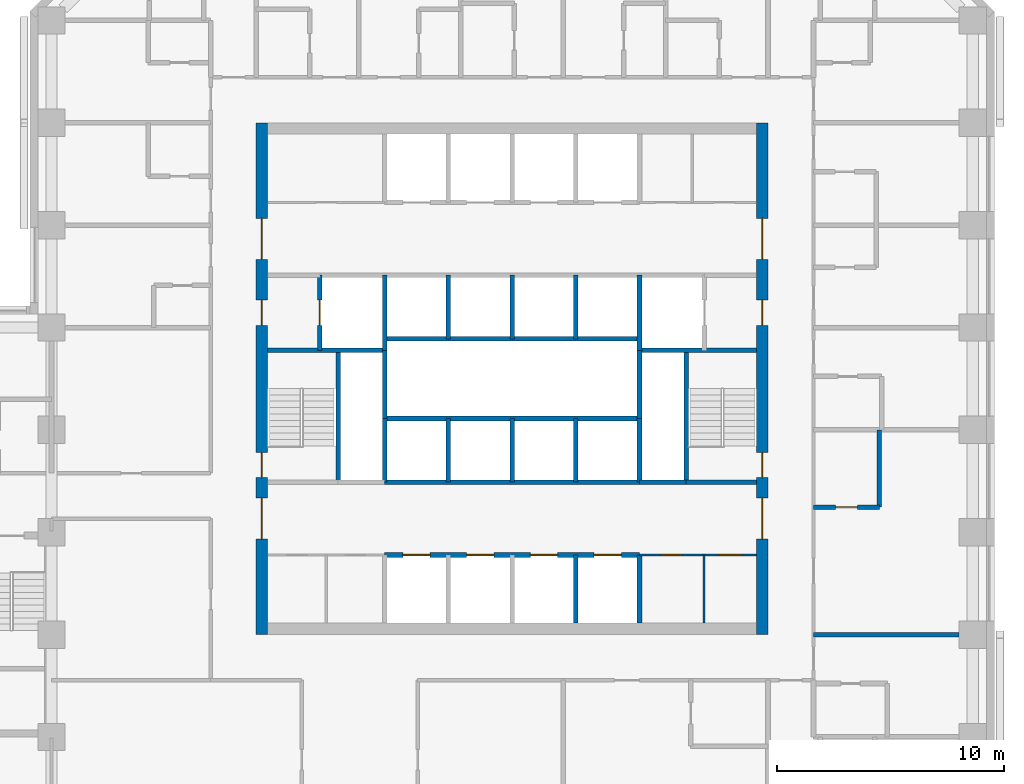
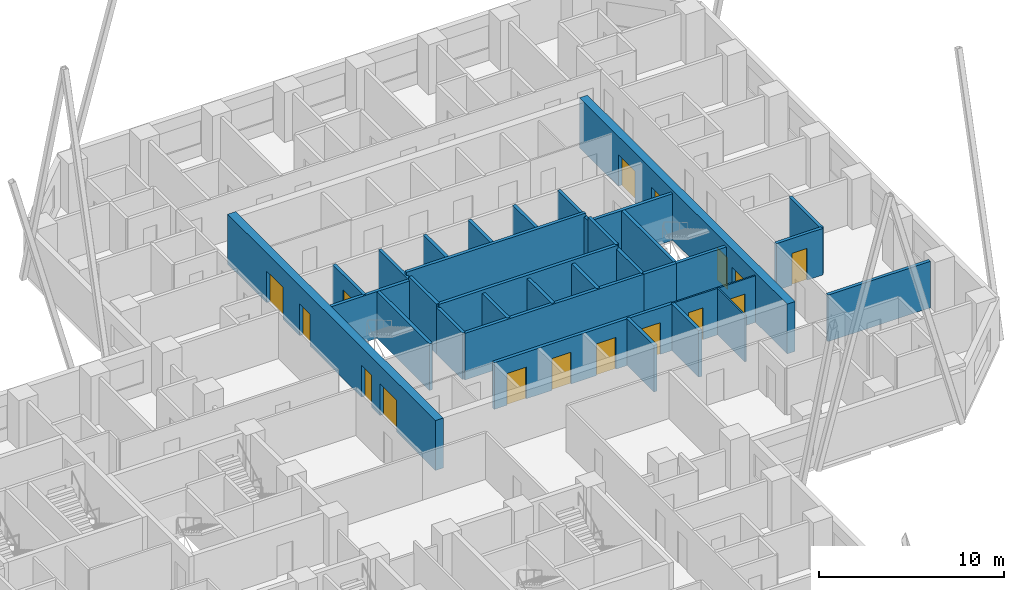
# One storey, part 9 of 14: 32 walls, 16 doors, 16 openings.
"""IFC4 building model written with IfcOpenShell, lengths in metres."""

import ifcopenshell
import ifcopenshell.guid

model = None  # the IFC model being written
_history = None  # IfcOwnerHistory: only IFC2X3 demands one
_inside = {}  # id of a spatial element -> (the spatial element, [elements in it])
_under = {}  # id of a project, library or spatial element -> (it, [spatial elements below it])
_declared = {}  # id of a project -> (the project, [libraries it declares])
_typed = {}  # id of a type object -> (the type object, [elements of that type])
_made_of = {}  # id of a material, layer set ... -> (it, [elements and type objects made of it])


def new_model(schema):
    """Start an empty IFC model of exactly this schema.

    Asked for "IFC4X3", IfcOpenShell would pick the latest addendum, in which some entities
    have other attributes; the version numbers below select the first issue.
    IFC2X3 requires an IfcOwnerHistory on every rooted entity: one is made here for all.
    """
    global model, _history
    if schema == "IFC4X3":
        model = ifcopenshell.file(schema_version=(4, 3, 0, 0))
    else:
        model = ifcopenshell.file(schema=schema)
    _inside.clear()
    _under.clear()
    _declared.clear()
    _typed.clear()
    _made_of.clear()
    _history = None
    if model.schema == "IFC2X3":
        org = make("IfcOrganization", Name="unknown")
        user = make(
            "IfcPersonAndOrganization",
            ThePerson=make("IfcPerson", FamilyName="unknown"),
            TheOrganization=org,
        )
        app = make(
            "IfcApplication",
            ApplicationDeveloper=org,
            Version="unknown",
            ApplicationFullName="unknown",
            ApplicationIdentifier="unknown",
        )
        _history = make(
            "IfcOwnerHistory",
            OwningUser=user,
            OwningApplication=app,
            ChangeAction="ADDED",
            CreationDate=0,
        )
    return model


def make(cls, **values):
    """One entity of the class cls with the attributes given. An attribute that is None is left unset."""
    return model.create_entity(
        cls, **{name: value for name, value in values.items() if value is not None}
    )


def rooted(cls, **values):
    """An entity with a GlobalId (a new one), such as an element, a storey or a relation."""
    return make(cls, GlobalId=ifcopenshell.guid.new(), OwnerHistory=_history, **values)


def si_unit(unit_type, name, prefix=None):
    """IfcSIUnit, for example si_unit("LENGTHUNIT", "METRE", prefix="MILLI")."""
    return make("IfcSIUnit", UnitType=unit_type, Prefix=prefix, Name=name)


def assignment(units):
    """IfcUnitAssignment: the units of a project."""
    return None if units is None else make("IfcUnitAssignment", Units=units)


def point(xyz):
    """IfcCartesianPoint."""
    return None if xyz is None else make("IfcCartesianPoint", Coordinates=xyz)


def direction(xyz):
    """IfcDirection."""
    return None if xyz is None else make("IfcDirection", DirectionRatios=xyz)


def frame(location, z_axis=None, x_axis=None):
    """IfcAxis2Placement3D, a coordinate frame: its origin and axes. An axis left out is left unset."""
    return make(
        "IfcAxis2Placement3D",
        Location=point(location),
        Axis=direction(z_axis),
        RefDirection=direction(x_axis),
    )


def frame_2d(location, x_axis=None):
    """IfcAxis2Placement2D, a coordinate frame in the plane: its origin and x axis."""
    return make(
        "IfcAxis2Placement2D", Location=point(location), RefDirection=direction(x_axis)
    )


def origin():
    """The frame at (0, 0, 0) with its axes left unset."""
    return frame((0.0, 0.0, 0.0))


def place(relative_to, where):
    """IfcLocalPlacement: puts the frame where relative to a parent placement (None: the world)."""
    return make(
        "IfcLocalPlacement", PlacementRelTo=relative_to, RelativePlacement=where
    )


def context(
    kind, dimensions, precision=None, world=None, true_north=None, identifier=None
):
    """IfcGeometricRepresentationContext, for example the 3D "Model" context."""
    return make(
        "IfcGeometricRepresentationContext",
        ContextIdentifier=identifier,
        ContextType=kind,
        CoordinateSpaceDimension=dimensions,
        Precision=precision,
        WorldCoordinateSystem=world,
        TrueNorth=true_north,
    )


def subcontext(parent, identifier, kind, view, scale=None):
    """IfcGeometricRepresentationSubContext, for example "Body" below "Model"."""
    return make(
        "IfcGeometricRepresentationSubContext",
        ContextIdentifier=identifier,
        ContextType=kind,
        ParentContext=parent,
        TargetScale=scale,
        TargetView=view,
    )


def project(units=None, contexts=None):
    """IfcProject with its units and contexts."""
    return rooted(
        "IfcProject",
        Name="project",
        RepresentationContexts=contexts,
        UnitsInContext=assignment(units),
    )


def spatial(cls, under=None, at=None, **own):
    """A site, building, storey or space (cls), placed at a placement, below another one or the project."""
    s = rooted(cls, ObjectPlacement=at, **own)
    if under is not None:
        _under.setdefault(under.id(), (under, []))[1].append(s)
    return s


def profile(cls, at=None, kind="AREA", **sizes):
    """A parametric profile (cls). Its sizes go by their IFC names, for example OverallWidth=200.0."""
    return make(cls, ProfileType=kind, Position=at, **sizes)


def rectangle(**sizes):
    """IfcRectangleProfileDef."""
    return profile("IfcRectangleProfileDef", **sizes)


def extrude(swept, where, along, depth):
    """IfcExtrudedAreaSolid: the profile swept, set in the frame where, extruded along a direction by depth."""
    return make(
        "IfcExtrudedAreaSolid",
        SweptArea=swept,
        Position=where,
        ExtrudedDirection=direction(along),
        Depth=depth,
    )


def shape(context_of_items, identifier, shape_type, items):
    """IfcShapeRepresentation: the items that make up one representation, for example the "Body"."""
    return make(
        "IfcShapeRepresentation",
        ContextOfItems=context_of_items,
        RepresentationIdentifier=identifier,
        RepresentationType=shape_type,
        Items=items,
    )


def material(Name=None, Category=None):
    """IfcMaterial."""
    return make("IfcMaterial", Name=Name, Category=Category)


def layer(
    of_material, thickness, ventilated=None, Name=None, Category=None, Priority=None
):
    """IfcMaterialLayer: one layer of a wall or slab, of a material (None: an air gap)."""
    return make(
        "IfcMaterialLayer",
        Material=of_material,
        LayerThickness=thickness,
        IsVentilated=ventilated,
        Name=Name,
        Category=Category,
        Priority=Priority,
    )


def layer_set(layers, Name=None):
    """IfcMaterialLayerSet."""
    return make("IfcMaterialLayerSet", MaterialLayers=layers, LayerSetName=Name)


def made_of(thing, what):
    """Note that an element or type object is made of a material, layer set ...; save() writes the relation."""
    if what is not None:
        _made_of.setdefault(what.id(), (what, []))[1].append(thing)
    return thing


def type_object(cls, material=None, **own):
    """A type object (cls), such as IfcWallType, which elements share."""
    return made_of(rooted(cls, **own), material)


def element(
    cls,
    number,
    at=None,
    inside=None,
    cuts=None,
    type_object=None,
    material=None,
    context=None,
    identifier="Body",
    shape_type=None,
    held_by="IfcProductDefinitionShape",
    body=None,
    shapes=None,
    **own,
):
    """One element of the class cls, such as IfcWall. Its Tag is "e" and its number.

    at: its placement. inside: the storey or other place that contains it. cuts: it is an
    opening in that element (IfcRelVoidsElement). A single representation is given by context,
    identifier, shape_type and body (its items); several are given by shapes. held_by: the class
    of the entity that holds the representations. save() writes the other relations.
    """
    e = rooted(cls, Tag="e%d" % number, ObjectPlacement=at, **own)
    if body is not None:
        shapes = [shape(context, identifier, shape_type, body)]
    if shapes is not None:
        e.Representation = make(held_by, Representations=shapes)
    if inside is not None:
        _inside.setdefault(inside.id(), (inside, []))[1].append(e)
    if cuts is not None:
        rooted(
            "IfcRelVoidsElement", RelatingBuildingElement=cuts, RelatedOpeningElement=e
        )
    if type_object is not None:
        _typed.setdefault(type_object.id(), (type_object, []))[1].append(e)
    return made_of(e, material)


def fill(opening, filler):
    """IfcRelFillsElement: the door or window that sits in an opening."""
    return rooted(
        "IfcRelFillsElement",
        RelatingOpeningElement=opening,
        RelatedBuildingElement=filler,
    )


def aggregate(whole, parts):
    """IfcRelAggregates: a whole, such as a stair, and the parts it consists of."""
    return rooted("IfcRelAggregates", RelatingObject=whole, RelatedObjects=parts)


def save(model, path):
    """Write the relations noted so far, then the file.

    IfcRelAggregates (storeys below a building ...), IfcRelContainedInSpatialStructure (elements
    in a storey), IfcRelDefinesByType, IfcRelAssociatesMaterial and IfcRelDeclares: one each for
    every whole, place, type object, material and project.
    """
    for whole, parts in _under.values():
        aggregate(whole, parts)
    for where, things in _inside.values():
        rooted(
            "IfcRelContainedInSpatialStructure",
            RelatedElements=things,
            RelatingStructure=where,
        )
    for kind, things in _typed.values():
        rooted("IfcRelDefinesByType", RelatedObjects=things, RelatingType=kind)
    for what, things in _made_of.values():
        rooted("IfcRelAssociatesMaterial", RelatedObjects=things, RelatingMaterial=what)
    for by, libraries in _declared.values():
        rooted("IfcRelDeclares", RelatingContext=by, RelatedDefinitions=libraries)
    model.write(path)


model = new_model("IFC4")

# Units and contexts
model_context = context("Model", 3, precision=1e-05, world=origin(), true_north=direction((0.0, 1.0)))
body_context = subcontext(model_context, "Body", "Model", "MODEL_VIEW")
ifc_project = project(units=[si_unit("LENGTHUNIT", "METRE"), si_unit("AREAUNIT", "SQUARE_METRE"), si_unit("VOLUMEUNIT", "CUBIC_METRE"), si_unit("PLANEANGLEUNIT", "RADIAN"), si_unit("MASSUNIT", "GRAM", prefix="KILO")], contexts=[model_context])

# Site, building, storey
site_placement = place(None, origin())
site = spatial("IfcSite", under=ifc_project, at=site_placement, CompositionType="ELEMENT")
building_placement = place(site_placement, origin())
building = spatial("IfcBuilding", under=site, at=building_placement, Name="Quoin Convention Tower", CompositionType="ELEMENT")
storey_placement = place(building_placement, frame((0.0, 0.0, 66.0)))
storey = spatial("IfcBuildingStorey", under=building, at=storey_placement, Name="L17", CompositionType="ELEMENT", Elevation=66.0)

# Wall, openings, doors
ifc_material_1 = material(Name="Plasterboard")
ifc_layer_1 = layer(ifc_material_1, 0.012451171875, Name="Finish")
ifc_material_2 = material(Name="Steel stud framing", Category="steel")
ifc_layer_2 = layer(ifc_material_2, 0.074951171875, Name="Structure")
ifc_layer_3 = layer(ifc_material_1, 0.012451171875, Name="Finish")
ifc_layer_set_1 = layer_set([ifc_layer_1, ifc_layer_2, ifc_layer_3], Name="Steel stud framing")
wall_type_1 = type_object("IfcWallType", Name="Core partition wall", PredefinedType="PARTITIONING", material=ifc_layer_set_1)
wall_1_placement = place(storey_placement, frame((61.85009765625, 53.0, 0.0), z_axis=(0.0, 0.0, 1.0), x_axis=(1.0, 0.0, 0.0)))
wall_1 = element("IfcWall", 1, at=wall_1_placement, inside=storey, type_object=wall_type_1, Name="cr-C1-L17-h3500_16850", PredefinedType="PARTITIONING", context=body_context, shape_type="SweptSolid", body=[
    extrude(rectangle(XDim=5.14990234375, YDim=0.10009765625, at=frame_2d((2.574951171875, 0.0))), origin(), (0.0, 0.0, 1.0), 3.080078125),
])
opening_1_placement = place(wall_1_placement, frame((3.4912109375, 0.0, 0.0)))
opening_1 = element("IfcOpeningElement", 2, at=opening_1_placement, cuts=wall_1, Name="Opening DCV0-30", PredefinedType="OPENING", context=body_context, shape_type="SweptSolid", body=[
    extrude(rectangle(XDim=1.0, YDim=2.10009765625, at=frame_2d((0.5, 1.050048828125))), frame((0.0, 0.06005859375, 0.0), z_axis=(0.0, -1.0, 0.0), x_axis=(1.0, 0.0, 0.0)), (0.0, 0.0, 1.0), 0.1201171875),
])
opening_2_placement = place(wall_1_placement, frame((0.96630859375, 0.0, 0.0)))
opening_2 = element("IfcOpeningElement", 3, at=opening_2_placement, cuts=wall_1, Name="Opening DCV0-27", PredefinedType="OPENING", context=body_context, shape_type="SweptSolid", body=[
    extrude(rectangle(XDim=0.89990234375, YDim=2.10009765625, at=frame_2d((0.449951171875, 1.050048828125))), frame((0.0, 0.06005859375, 0.0), z_axis=(0.0, -1.0, 0.0), x_axis=(1.0, 0.0, 0.0)), (0.0, 0.0, 1.0), 0.1201171875),
])
ifc_material_3 = material(Name="Steel door leaf", Category="steel")
door_type_1 = type_object("IfcDoorType", Name="Core room door 1000 x 2100", OperationType="SINGLE_SWING_LEFT", PredefinedType="DOOR", material=ifc_material_3)
door_1_placement = place(opening_1_placement, frame((1.0, 0.0, 0.0), z_axis=(0.0, 0.0, 1.0), x_axis=(-1.0, 0.0, 0.0)))
door_1 = element("IfcDoor", 4, at=door_1_placement, inside=storey, type_object=door_type_1, Name="cd-C1-L17-CSE0-lobA-CD1710", OperationType="SINGLE_SWING_LEFT", OverallHeight=2.10009765625, OverallWidth=1.0, PredefinedType="DOOR", context=body_context, shape_type="SweptSolid", body=[
    extrude(rectangle(XDim=1.0, YDim=2.10009765625, at=frame_2d((0.5, 1.050048828125))), frame((0.0, 0.02490234375, 0.0), z_axis=(0.0, -1.0, 0.0), x_axis=(1.0, 0.0, 0.0)), (0.0, 0.0, 1.0), 0.050048828125),
])
fill(opening_1, door_1)
door_type_2 = type_object("IfcDoorType", Name="Core room door 900 x 2100", OperationType="SINGLE_SWING_LEFT", PredefinedType="DOOR", material=ifc_material_3)
door_2_placement = place(opening_2_placement, frame((0.89990234375, 0.0, 0.0), z_axis=(0.0, 0.0, 1.0), x_axis=(-1.0, 0.0, 0.0)))
door_2 = element("IfcDoor", 5, at=door_2_placement, inside=storey, type_object=door_type_2, Name="cd-C1-L17-CSE1-lobA-CD1711", OperationType="SINGLE_SWING_RIGHT", OverallHeight=2.10009765625, OverallWidth=0.89990234375, PredefinedType="DOOR", context=body_context, shape_type="SweptSolid", body=[
    extrude(rectangle(XDim=0.89990234375, YDim=2.10009765625, at=frame_2d((0.449951171875, 1.050048828125))), frame((0.0, 0.02490234375, 0.0), z_axis=(0.0, -1.0, 0.0), x_axis=(1.0, 0.0, 0.0)), (0.0, 0.0, 1.0), 0.050048828125),
])
fill(opening_2, door_2)

# Wall
wall_2_placement = place(storey_placement, frame((64.6826171875, 50.0, 0.0), z_axis=(0.0, 0.0, 1.0), x_axis=(0.0, 1.0, 0.0)))
element("IfcWall", 6, at=wall_2_placement, inside=storey, type_object=wall_type_1, Name="cr-C1-L17-v19682_500", PredefinedType="PARTITIONING", context=body_context, shape_type="SweptSolid", body=[
    extrude(rectangle(XDim=3.0, YDim=0.10009765625, at=frame_2d((1.5, 0.0))), origin(), (0.0, 0.0, 1.0), 3.080078125),
])

# Wall, openings, doors
ifc_material_4 = material(Name="Concrete C50", Category="concrete")
ifc_layer_4 = layer(ifc_material_4, 0.199951171875)
ifc_layer_set_2 = layer_set([ifc_layer_4], Name="Concrete C50")
wall_type_2 = type_object("IfcWallType", Name="Core shaft wall", PredefinedType="SOLIDWALL", material=ifc_layer_set_2)
wall_3_placement = place(storey_placement, frame((50.64990234375, 53.0, 0.0), z_axis=(0.0, 0.0, 1.0), x_axis=(1.0, 0.0, 0.0)))
wall_3 = element("IfcWall", 7, at=wall_3_placement, inside=storey, type_object=wall_type_2, Name="cr-C1-L17-h3500_5650", PredefinedType="SOLIDWALL", context=body_context, shape_type="SweptSolid", body=[
    extrude(rectangle(XDim=11.2001953125, YDim=0.199951171875, at=frame_2d((5.60009765625, 0.0))), origin(), (0.0, 0.0, 1.0), 3.080078125),
])
opening_3_placement = place(wall_3_placement, frame((0.800048828125, 0.0, 0.0)))
opening_3 = element("IfcOpeningElement", 8, at=opening_3_placement, cuts=wall_3, Name="Opening LDL1", PredefinedType="OPENING", context=body_context, shape_type="SweptSolid", body=[
    extrude(rectangle(XDim=1.199951171875, YDim=2.10009765625, at=frame_2d((0.60009765625, 1.050048828125))), frame((0.0, 0.10986328125, 0.0), z_axis=(0.0, -1.0, 0.0), x_axis=(1.0, 0.0, 0.0)), (0.0, 0.0, 1.0), 0.219970703125),
])
opening_4_placement = place(wall_3_placement, frame((3.60009765625, 0.0, 0.0)))
opening_4 = element("IfcOpeningElement", 9, at=opening_4_placement, cuts=wall_3, Name="Opening LDL2", PredefinedType="OPENING", context=body_context, shape_type="SweptSolid", body=[
    extrude(rectangle(XDim=1.199951171875, YDim=2.10009765625, at=frame_2d((0.60009765625, 1.050048828125))), frame((0.0, 0.10986328125, 0.0), z_axis=(0.0, -1.0, 0.0), x_axis=(1.0, 0.0, 0.0)), (0.0, 0.0, 1.0), 0.219970703125),
])
opening_5_placement = place(wall_3_placement, frame((6.39990234375, 0.0, 0.0)))
opening_5 = element("IfcOpeningElement", 10, at=opening_5_placement, cuts=wall_3, Name="Opening LDL3", PredefinedType="OPENING", context=body_context, shape_type="SweptSolid", body=[
    extrude(rectangle(XDim=1.199951171875, YDim=2.10009765625, at=frame_2d((0.60009765625, 1.050048828125))), frame((0.0, 0.10986328125, 0.0), z_axis=(0.0, -1.0, 0.0), x_axis=(1.0, 0.0, 0.0)), (0.0, 0.0, 1.0), 0.219970703125),
])
opening_6_placement = place(wall_3_placement, frame((9.199951171875, 0.0, 0.0)))
opening_6 = element("IfcOpeningElement", 11, at=opening_6_placement, cuts=wall_3, Name="Opening LDL4", PredefinedType="OPENING", context=body_context, shape_type="SweptSolid", body=[
    extrude(rectangle(XDim=1.199951171875, YDim=2.10009765625, at=frame_2d((0.60009765625, 1.050048828125))), frame((0.0, 0.10986328125, 0.0), z_axis=(0.0, -1.0, 0.0), x_axis=(1.0, 0.0, 0.0)), (0.0, 0.0, 1.0), 0.219970703125),
])
door_type_3 = type_object("IfcDoorType", Name="Lift landing door 1200 x 2100", OperationType="DOUBLE_DOOR_SLIDING", PredefinedType="DOOR", material=ifc_material_3)
door_3_placement = place(opening_3_placement, origin())
door_3 = element("IfcDoor", 12, at=door_3_placement, inside=storey, type_object=door_type_3, Name="cd-C1-L17-R10-lobA-LDL1", OperationType="DOUBLE_DOOR_SLIDING", OverallHeight=2.10009765625, OverallWidth=1.199951171875, PredefinedType="DOOR", context=body_context, shape_type="SweptSolid", body=[
    extrude(rectangle(XDim=1.199951171875, YDim=2.10009765625, at=frame_2d((0.60009765625, 1.050048828125))), frame((0.0, 0.02490234375, 0.0), z_axis=(0.0, -1.0, 0.0), x_axis=(1.0, 0.0, 0.0)), (0.0, 0.0, 1.0), 0.050048828125),
])
fill(opening_3, door_3)
door_4_placement = place(opening_4_placement, origin())
door_4 = element("IfcDoor", 13, at=door_4_placement, inside=storey, type_object=door_type_3, Name="cd-C1-L17-R11-lobA-LDL2", OperationType="DOUBLE_DOOR_SLIDING", OverallHeight=2.10009765625, OverallWidth=1.199951171875, PredefinedType="DOOR", context=body_context, shape_type="SweptSolid", body=[
    extrude(rectangle(XDim=1.199951171875, YDim=2.10009765625, at=frame_2d((0.60009765625, 1.050048828125))), frame((0.0, 0.02490234375, 0.0), z_axis=(0.0, -1.0, 0.0), x_axis=(1.0, 0.0, 0.0)), (0.0, 0.0, 1.0), 0.050048828125),
])
fill(opening_4, door_4)
door_5_placement = place(opening_5_placement, origin())
door_5 = element("IfcDoor", 14, at=door_5_placement, inside=storey, type_object=door_type_3, Name="cd-C1-L17-R12-lobA-LDL3", OperationType="DOUBLE_DOOR_SLIDING", OverallHeight=2.10009765625, OverallWidth=1.199951171875, PredefinedType="DOOR", context=body_context, shape_type="SweptSolid", body=[
    extrude(rectangle(XDim=1.199951171875, YDim=2.10009765625, at=frame_2d((0.60009765625, 1.050048828125))), frame((0.0, 0.02490234375, 0.0), z_axis=(0.0, -1.0, 0.0), x_axis=(1.0, 0.0, 0.0)), (0.0, 0.0, 1.0), 0.050048828125),
])
fill(opening_5, door_5)
door_6_placement = place(opening_6_placement, origin())
door_6 = element("IfcDoor", 15, at=door_6_placement, inside=storey, type_object=door_type_3, Name="cd-C1-L17-R13-lobA-LDL4", OperationType="DOUBLE_DOOR_SLIDING", OverallHeight=2.10009765625, OverallWidth=1.199951171875, PredefinedType="DOOR", context=body_context, shape_type="SweptSolid", body=[
    extrude(rectangle(XDim=1.199951171875, YDim=2.10009765625, at=frame_2d((0.60009765625, 1.050048828125))), frame((0.0, 0.02490234375, 0.0), z_axis=(0.0, -1.0, 0.0), x_axis=(1.0, 0.0, 0.0)), (0.0, 0.0, 1.0), 0.050048828125),
])
fill(opening_6, door_6)

# Walls
wall_4_placement = place(storey_placement, frame((61.85009765625, 56.199951171875, 0.0), z_axis=(0.0, 0.0, 1.0), x_axis=(1.0, 0.0, 0.0)))
element("IfcWall", 16, at=wall_4_placement, inside=storey, type_object=wall_type_2, Name="cr-C1-L17-h6700_16850", PredefinedType="SOLIDWALL", context=body_context, shape_type="SweptSolid", body=[
    extrude(rectangle(XDim=2.0498046875, YDim=0.199951171875, at=frame_2d((1.02490234375, 0.0))), origin(), (0.0, 0.0, 1.0), 3.080078125),
])
wall_5_placement = place(storey_placement, frame((50.64990234375, 56.199951171875, 0.0), z_axis=(0.0, 0.0, 1.0), x_axis=(1.0, 0.0, 0.0)))
element("IfcWall", 17, at=wall_5_placement, inside=storey, type_object=wall_type_2, Name="cr-C1-L17-h6700_5650", PredefinedType="SOLIDWALL", context=body_context, shape_type="SweptSolid", body=[
    extrude(rectangle(XDim=11.2001953125, YDim=0.199951171875, at=frame_2d((5.60009765625, 0.0))), origin(), (0.0, 0.0, 1.0), 3.080078125),
])
wall_6_placement = place(storey_placement, frame((63.89990234375, 56.199951171875, 0.0), z_axis=(0.0, 0.0, 1.0), x_axis=(1.0, 0.0, 0.0)))
element("IfcWall", 18, at=wall_6_placement, inside=storey, type_object=wall_type_2, Name="cr-C1-L17-h6700_18900", PredefinedType="SOLIDWALL", context=body_context, shape_type="SweptSolid", body=[
    extrude(rectangle(XDim=3.10009765625, YDim=0.199951171875, at=frame_2d((1.550048828125, 0.0))), origin(), (0.0, 0.0, 1.0), 3.080078125),
])
for number, where, z_axis, x_axis, name in (
    (19, (45.5, 62.0, 0.0), (0.0, 0.0, 1.0), (1.0, 0.0, 0.0), "cr-C1-L17-h12500_500"),
    (20, (61.85009765625, 62.0, 0.0), (0.0, 0.0, 1.0), (1.0, 0.0, 0.0), "cr-C1-L17-h12500_16850"),
):
    element("IfcWall", number, at=place(storey_placement, frame(where, z_axis=z_axis, x_axis=x_axis)), inside=storey, type_object=wall_type_2, Name=name, PredefinedType="SOLIDWALL", context=body_context, shape_type="SweptSolid", body=[
        extrude(rectangle(XDim=5.14990234375, YDim=0.199951171875, at=frame_2d((2.574951171875, 0.0))), origin(), (0.0, 0.0, 1.0), 3.080078125),
    ])

# Wall, opening, door
wall_7_placement = place(storey_placement, frame((47.800048828125, 62.0, 0.0), z_axis=(0.0, 0.0, 1.0), x_axis=(0.0, 1.0, 0.0)))
wall_7 = element("IfcWall", 21, at=wall_7_placement, inside=storey, type_object=wall_type_2, Name="cr-C1-L17-v2800_12500", PredefinedType="SOLIDWALL", context=body_context, shape_type="SweptSolid", body=[
    extrude(rectangle(XDim=3.300048828125, YDim=0.199951171875, at=frame_2d((1.64990234375, 0.0))), origin(), (0.0, 0.0, 1.0), 3.080078125),
])
opening_7_placement = place(wall_7_placement, frame((1.10009765625, 0.0, 0.0)))
opening_7 = element("IfcOpeningElement", 22, at=opening_7_placement, cuts=wall_7, Name="Opening LDFL1", PredefinedType="OPENING", context=body_context, shape_type="SweptSolid", body=[
    extrude(rectangle(XDim=1.10009765625, YDim=2.10009765625, at=frame_2d((0.550048828125, 1.050048828125))), frame((0.0, 0.10986328125, 0.0), z_axis=(0.0, -1.0, 0.0), x_axis=(1.0, 0.0, 0.0)), (0.0, 0.0, 1.0), 0.219970703125),
])
door_type_4 = type_object("IfcDoorType", Name="Lift landing door 1100 x 2100", OperationType="DOUBLE_DOOR_SLIDING", PredefinedType="DOOR", material=ifc_material_3)
door_7_placement = place(opening_7_placement, origin())
door_7 = element("IfcDoor", 23, at=door_7_placement, inside=storey, type_object=door_type_4, Name="cd-C1-L17-FLW-FFW-LDFL1", OperationType="DOUBLE_DOOR_SLIDING", OverallHeight=2.10009765625, OverallWidth=1.10009765625, PredefinedType="DOOR", context=body_context, shape_type="SweptSolid", body=[
    extrude(rectangle(XDim=1.10009765625, YDim=2.10009765625, at=frame_2d((0.550048828125, 1.050048828125))), frame((0.0, 0.02490234375, 0.0), z_axis=(0.0, -1.0, 0.0), x_axis=(1.0, 0.0, 0.0)), (0.0, 0.0, 1.0), 0.050048828125),
])
fill(opening_7, door_7)

# Walls
wall_8_placement = place(storey_placement, frame((48.60009765625, 56.199951171875, 0.0), z_axis=(0.0, 0.0, 1.0), x_axis=(0.0, 1.0, 0.0)))
element("IfcWall", 24, at=wall_8_placement, inside=storey, type_object=wall_type_2, Name="cr-C1-L17-v3600_6700", PredefinedType="SOLIDWALL", context=body_context, shape_type="SweptSolid", body=[
    extrude(rectangle(XDim=5.800048828125, YDim=0.199951171875, at=frame_2d((2.89990234375, 0.0))), origin(), (0.0, 0.0, 1.0), 3.080078125),
])
wall_9_placement = place(storey_placement, frame((50.64990234375, 56.199951171875, 0.0), z_axis=(0.0, 0.0, 1.0), x_axis=(0.0, 1.0, 0.0)))
element("IfcWall", 25, at=wall_9_placement, inside=storey, type_object=wall_type_2, Name="cr-C1-L17-v5650_6700", PredefinedType="SOLIDWALL", context=body_context, shape_type="SweptSolid", body=[
    extrude(rectangle(XDim=2.800048828125, YDim=0.199951171875, at=frame_2d((1.39990234375, 0.0))), origin(), (0.0, 0.0, 1.0), 3.080078125),
])
wall_10_placement = place(storey_placement, frame((50.64990234375, 62.0, 0.0), z_axis=(0.0, 0.0, 1.0), x_axis=(0.0, 1.0, 0.0)))
element("IfcWall", 26, at=wall_10_placement, inside=storey, type_object=wall_type_2, Name="cr-C1-L17-v5650_12500", PredefinedType="SOLIDWALL", context=body_context, shape_type="SweptSolid", body=[
    extrude(rectangle(XDim=3.300048828125, YDim=0.199951171875, at=frame_2d((1.64990234375, 0.0))), origin(), (0.0, 0.0, 1.0), 3.080078125),
])
for number, where, z_axis, x_axis, name in (
    (27, (53.449951171875, 56.199951171875, 0.0), (0.0, 0.0, 1.0), (0.0, 1.0, 0.0), "cr-C1-L17-v8450_6700"),
    (28, (53.449951171875, 62.5, 0.0), (0.0, 0.0, 1.0), (0.0, 1.0, 0.0), "cr-C1-L17-v8450_13000"),
    (29, (56.25, 56.199951171875, 0.0), (0.0, 0.0, 1.0), (0.0, 1.0, 0.0), "cr-C1-L17-v11250_6700"),
    (30, (56.25, 62.5, 0.0), (0.0, 0.0, 1.0), (0.0, 1.0, 0.0), "cr-C1-L17-v11250_13000"),
):
    element("IfcWall", number, at=place(storey_placement, frame(where, z_axis=z_axis, x_axis=x_axis)), inside=storey, type_object=wall_type_2, Name=name, PredefinedType="SOLIDWALL", context=body_context, shape_type="SweptSolid", body=[
        extrude(rectangle(XDim=2.800048828125, YDim=0.199951171875, at=frame_2d((1.39990234375, 0.0))), origin(), (0.0, 0.0, 1.0), 3.080078125),
    ])
wall_11_placement = place(storey_placement, frame((59.050048828125, 50.0, 0.0), z_axis=(0.0, 0.0, 1.0), x_axis=(0.0, 1.0, 0.0)))
element("IfcWall", 31, at=wall_11_placement, inside=storey, type_object=wall_type_2, Name="cr-C1-L17-v14050_500", PredefinedType="SOLIDWALL", context=body_context, shape_type="SweptSolid", body=[
    extrude(rectangle(XDim=3.0, YDim=0.199951171875, at=frame_2d((1.5, 0.0))), origin(), (0.0, 0.0, 1.0), 3.080078125),
])
for number, where, z_axis, x_axis, name in (
    (32, (59.050048828125, 56.199951171875, 0.0), (0.0, 0.0, 1.0), (0.0, 1.0, 0.0), "cr-C1-L17-v14050_6700"),
    (33, (59.050048828125, 62.5, 0.0), (0.0, 0.0, 1.0), (0.0, 1.0, 0.0), "cr-C1-L17-v14050_13000"),
):
    element("IfcWall", number, at=place(storey_placement, frame(where, z_axis=z_axis, x_axis=x_axis)), inside=storey, type_object=wall_type_2, Name=name, PredefinedType="SOLIDWALL", context=body_context, shape_type="SweptSolid", body=[
        extrude(rectangle(XDim=2.800048828125, YDim=0.199951171875, at=frame_2d((1.39990234375, 0.0))), origin(), (0.0, 0.0, 1.0), 3.080078125),
    ])
wall_12_placement = place(storey_placement, frame((61.85009765625, 50.0, 0.0), z_axis=(0.0, 0.0, 1.0), x_axis=(0.0, 1.0, 0.0)))
element("IfcWall", 34, at=wall_12_placement, inside=storey, type_object=wall_type_2, Name="cr-C1-L17-v16850_500", PredefinedType="SOLIDWALL", context=body_context, shape_type="SweptSolid", body=[
    extrude(rectangle(XDim=3.0, YDim=0.199951171875, at=frame_2d((1.5, 0.0))), origin(), (0.0, 0.0, 1.0), 3.080078125),
])
wall_13_placement = place(storey_placement, frame((61.85009765625, 56.199951171875, 0.0), z_axis=(0.0, 0.0, 1.0), x_axis=(0.0, 1.0, 0.0)))
element("IfcWall", 35, at=wall_13_placement, inside=storey, type_object=wall_type_2, Name="cr-C1-L17-v16850_6700", PredefinedType="SOLIDWALL", context=body_context, shape_type="SweptSolid", body=[
    extrude(rectangle(XDim=2.800048828125, YDim=0.199951171875, at=frame_2d((1.39990234375, 0.0))), origin(), (0.0, 0.0, 1.0), 3.080078125),
])
wall_14_placement = place(storey_placement, frame((61.85009765625, 62.0, 0.0), z_axis=(0.0, 0.0, 1.0), x_axis=(0.0, 1.0, 0.0)))
element("IfcWall", 36, at=wall_14_placement, inside=storey, type_object=wall_type_2, Name="cr-C1-L17-v16850_12500", PredefinedType="SOLIDWALL", context=body_context, shape_type="SweptSolid", body=[
    extrude(rectangle(XDim=3.300048828125, YDim=0.199951171875, at=frame_2d((1.64990234375, 0.0))), origin(), (0.0, 0.0, 1.0), 3.080078125),
])
wall_15_placement = place(storey_placement, frame((63.89990234375, 56.199951171875, 0.0), z_axis=(0.0, 0.0, 1.0), x_axis=(0.0, 1.0, 0.0)))
element("IfcWall", 37, at=wall_15_placement, inside=storey, type_object=wall_type_2, Name="cr-C1-L17-v18900_6700", PredefinedType="SOLIDWALL", context=body_context, shape_type="SweptSolid", body=[
    extrude(rectangle(XDim=5.800048828125, YDim=0.199951171875, at=frame_2d((2.89990234375, 0.0))), origin(), (0.0, 0.0, 1.0), 3.080078125),
])
ifc_layer_5 = layer(ifc_material_4, 0.199951171875)
ifc_layer_set_3 = layer_set([ifc_layer_5], Name="Concrete C50")
wall_type_3 = type_object("IfcWallType", Name="Core shaft wall to the floor level over", PredefinedType="SOLIDWALL", material=ifc_layer_set_3)
for number, where, z_axis, x_axis, name in (
    (38, (50.64990234375, 59.0, 0.0), (0.0, 0.0, 1.0), (1.0, 0.0, 0.0), "cr-C1-L17-h9500_5650"),
    (39, (50.64990234375, 62.5, 0.0), (0.0, 0.0, 1.0), (1.0, 0.0, 0.0), "cr-C1-L17-h13000_5650"),
):
    element("IfcWall", number, at=place(storey_placement, frame(where, z_axis=z_axis, x_axis=x_axis)), inside=storey, type_object=wall_type_3, Name=name, PredefinedType="SOLIDWALL", context=body_context, shape_type="SweptSolid", body=[
        extrude(rectangle(XDim=11.2001953125, YDim=0.199951171875, at=frame_2d((5.60009765625, 0.0))), origin(), (0.0, 0.0, 1.0), 3.300048828125),
    ])
for number, where, z_axis, x_axis, name in (
    (40, (50.64990234375, 59.0, 0.0), (0.0, 0.0, 1.0), (0.0, 1.0, 0.0), "cr-C1-L17-v5650_9500"),
    (41, (61.85009765625, 59.0, 0.0), (0.0, 0.0, 1.0), (0.0, 1.0, 0.0), "cr-C1-L17-v16850_9500"),
):
    element("IfcWall", number, at=place(storey_placement, frame(where, z_axis=z_axis, x_axis=x_axis)), inside=storey, type_object=wall_type_3, Name=name, PredefinedType="SOLIDWALL", context=body_context, shape_type="SweptSolid", body=[
        extrude(rectangle(XDim=3.0, YDim=0.199951171875, at=frame_2d((1.5, 0.0))), origin(), (0.0, 0.0, 1.0), 3.300048828125),
    ])

# Wall, openings, doors
ifc_material_5 = material(Name="Concrete C80", Category="concrete")
ifc_layer_6 = layer(ifc_material_5, 0.5)
ifc_layer_set_4 = layer_set([ifc_layer_6], Name="Concrete C80")
wall_type_4 = type_object("IfcWallType", Name="RC CORE WALL 500 C80", PredefinedType="SHEAR", material=ifc_layer_set_4)
wall_16_placement = place(storey_placement, frame((45.25, 49.5, 0.0), z_axis=(0.0, 0.0, 1.0), x_axis=(0.0, 1.0, 0.0)))
wall_16 = element("IfcWall", 42, at=wall_16_placement, inside=storey, type_object=wall_type_4, Name="cwl-C1-L17-W", PredefinedType="SHEAR", context=body_context, shape_type="SweptSolid", body=[
    extrude(rectangle(XDim=22.5, YDim=0.5, at=frame_2d((11.25, 0.0))), origin(), (0.0, 0.0, 1.0), 3.300048828125),
])
opening_8_placement = place(wall_16_placement, frame((4.199951171875, 0.0, 0.0)))
opening_8 = element("IfcOpeningElement", 43, at=opening_8_placement, cuts=wall_16, Name="Opening DCV0-59", PredefinedType="OPENING", context=body_context, shape_type="SweptSolid", body=[
    extrude(rectangle(XDim=1.800048828125, YDim=2.10009765625, at=frame_2d((0.89990234375, 1.050048828125))), frame((0.0, 0.260009765625, 0.0), z_axis=(0.0, -1.0, 0.0), x_axis=(1.0, 0.0, 0.0)), (0.0, 0.0, 1.0), 0.52001953125),
])
opening_9_placement = place(wall_16_placement, frame((6.89990234375, 0.0, 0.0)))
opening_9 = element("IfcOpeningElement", 44, at=opening_9_placement, cuts=wall_16, Name="Opening SD1", PredefinedType="OPENING", context=body_context, shape_type="SweptSolid", body=[
    extrude(rectangle(XDim=1.10009765625, YDim=2.10009765625, at=frame_2d((0.550048828125, 1.050048828125))), frame((0.0, 0.260009765625, 0.0), z_axis=(0.0, -1.0, 0.0), x_axis=(1.0, 0.0, 0.0)), (0.0, 0.0, 1.0), 0.52001953125),
])
opening_10_placement = place(wall_16_placement, frame((13.60009765625, 0.0, 0.0)))
opening_10 = element("IfcOpeningElement", 45, at=opening_10_placement, cuts=wall_16, Name="Opening DCV0-58", PredefinedType="OPENING", context=body_context, shape_type="SweptSolid", body=[
    extrude(rectangle(XDim=1.10009765625, YDim=2.10009765625, at=frame_2d((0.550048828125, 1.050048828125))), frame((0.0, 0.260009765625, 0.0), z_axis=(0.0, -1.0, 0.0), x_axis=(1.0, 0.0, 0.0)), (0.0, 0.0, 1.0), 0.52001953125),
])
opening_11_placement = place(wall_16_placement, frame((16.5, 0.0, 0.0)))
opening_11 = element("IfcOpeningElement", 46, at=opening_11_placement, cuts=wall_16, Name="Opening DCV0-59", PredefinedType="OPENING", context=body_context, shape_type="SweptSolid", body=[
    extrude(rectangle(XDim=1.800048828125, YDim=2.10009765625, at=frame_2d((0.89990234375, 1.050048828125))), frame((0.0, 0.260009765625, 0.0), z_axis=(0.0, -1.0, 0.0), x_axis=(1.0, 0.0, 0.0)), (0.0, 0.0, 1.0), 0.52001953125),
])
door_type_5 = type_object("IfcDoorType", Name="Fire-fighting lobby door 1100 x 2100", OperationType="SINGLE_SWING_LEFT", PredefinedType="DOOR", material=ifc_material_3)
door_8_placement = place(opening_10_placement, frame((1.10009765625, 0.0, 0.0), z_axis=(0.0, 0.0, 1.0), x_axis=(-1.0, 0.0, 0.0)))
door_8 = element("IfcDoor", 47, at=door_8_placement, inside=storey, type_object=door_type_5, Name="cd-C1-L17-FFW-W", OperationType="SINGLE_SWING_LEFT", OverallHeight=2.10009765625, OverallWidth=1.10009765625, PredefinedType="DOOR", context=body_context, shape_type="SweptSolid", body=[
    extrude(rectangle(XDim=1.10009765625, YDim=2.10009765625, at=frame_2d((0.550048828125, 1.050048828125))), frame((0.0, 0.02490234375, 0.0), z_axis=(0.0, -1.0, 0.0), x_axis=(1.0, 0.0, 0.0)), (0.0, 0.0, 1.0), 0.050048828125),
])
fill(opening_10, door_8)
door_type_6 = type_object("IfcDoorType", Name="Lift lobby door 1800 x 2100", OperationType="SINGLE_SWING_LEFT", PredefinedType="DOOR", material=ifc_material_3)
door_9_placement = place(opening_8_placement, frame((1.800048828125, 0.0, 0.0), z_axis=(0.0, 0.0, 1.0), x_axis=(-1.0, 0.0, 0.0)))
door_9 = element("IfcDoor", 48, at=door_9_placement, inside=storey, type_object=door_type_6, Name="cd-C1-L17-lobA-W", OperationType="SINGLE_SWING_LEFT", OverallHeight=2.10009765625, OverallWidth=1.800048828125, PredefinedType="DOOR", context=body_context, shape_type="SweptSolid", body=[
    extrude(rectangle(XDim=1.800048828125, YDim=2.10009765625, at=frame_2d((0.89990234375, 1.050048828125))), frame((0.0, 0.02490234375, 0.0), z_axis=(0.0, -1.0, 0.0), x_axis=(1.0, 0.0, 0.0)), (0.0, 0.0, 1.0), 0.050048828125),
])
fill(opening_8, door_9)
door_10_placement = place(opening_11_placement, frame((1.800048828125, 0.0, 0.0), z_axis=(0.0, 0.0, 1.0), x_axis=(-1.0, 0.0, 0.0)))
door_10 = element("IfcDoor", 49, at=door_10_placement, inside=storey, type_object=door_type_6, Name="cd-C1-L17-lobB-W", OperationType="SINGLE_SWING_LEFT", OverallHeight=2.10009765625, OverallWidth=1.800048828125, PredefinedType="DOOR", context=body_context, shape_type="SweptSolid", body=[
    extrude(rectangle(XDim=1.800048828125, YDim=2.10009765625, at=frame_2d((0.89990234375, 1.050048828125))), frame((0.0, 0.02490234375, 0.0), z_axis=(0.0, -1.0, 0.0), x_axis=(1.0, 0.0, 0.0)), (0.0, 0.0, 1.0), 0.050048828125),
])
fill(opening_11, door_10)
door_type_7 = type_object("IfcDoorType", Name="Stair door 1100 x 2100", OperationType="SINGLE_SWING_RIGHT", PredefinedType="DOOR", material=ifc_material_3)
door_11_placement = place(opening_9_placement, frame((1.10009765625, 0.0, 0.0), z_axis=(0.0, 0.0, 1.0), x_axis=(-1.0, 0.0, 0.0)))
door_11 = element("IfcDoor", 50, at=door_11_placement, inside=storey, type_object=door_type_7, Name="cd-C1-L17-STW-W", OperationType="SINGLE_SWING_RIGHT", OverallHeight=2.10009765625, OverallWidth=1.10009765625, PredefinedType="DOOR", context=body_context, shape_type="SweptSolid", body=[
    extrude(rectangle(XDim=1.10009765625, YDim=2.10009765625, at=frame_2d((0.550048828125, 1.050048828125))), frame((0.0, 0.02490234375, 0.0), z_axis=(0.0, -1.0, 0.0), x_axis=(1.0, 0.0, 0.0)), (0.0, 0.0, 1.0), 0.050048828125),
])
fill(opening_9, door_11)

wall_17_placement = place(storey_placement, frame((67.25, 49.5, 0.0), z_axis=(0.0, 0.0, 1.0), x_axis=(0.0, 1.0, 0.0)))
wall_17 = element("IfcWall", 51, at=wall_17_placement, inside=storey, type_object=wall_type_4, Name="cwl-C1-L17-E", PredefinedType="SHEAR", context=body_context, shape_type="SweptSolid", body=[
    extrude(rectangle(XDim=22.5, YDim=0.5, at=frame_2d((11.25, 0.0))), origin(), (0.0, 0.0, 1.0), 3.300048828125),
])
opening_12_placement = place(wall_17_placement, frame((4.199951171875, 0.0, 0.0)))
opening_12 = element("IfcOpeningElement", 52, at=opening_12_placement, cuts=wall_17, Name="Opening DCV0-57", PredefinedType="OPENING", context=body_context, shape_type="SweptSolid", body=[
    extrude(rectangle(XDim=1.800048828125, YDim=2.10009765625, at=frame_2d((0.89990234375, 1.050048828125))), frame((0.0, 0.260009765625, 0.0), z_axis=(0.0, -1.0, 0.0), x_axis=(1.0, 0.0, 0.0)), (0.0, 0.0, 1.0), 0.52001953125),
])
opening_13_placement = place(wall_17_placement, frame((6.89990234375, 0.0, 0.0)))
opening_13 = element("IfcOpeningElement", 53, at=opening_13_placement, cuts=wall_17, Name="Opening SD2", PredefinedType="OPENING", context=body_context, shape_type="SweptSolid", body=[
    extrude(rectangle(XDim=1.10009765625, YDim=2.10009765625, at=frame_2d((0.550048828125, 1.050048828125))), frame((0.0, 0.260009765625, 0.0), z_axis=(0.0, -1.0, 0.0), x_axis=(1.0, 0.0, 0.0)), (0.0, 0.0, 1.0), 0.52001953125),
])
opening_14_placement = place(wall_17_placement, frame((13.60009765625, 0.0, 0.0)))
opening_14 = element("IfcOpeningElement", 54, at=opening_14_placement, cuts=wall_17, Name="Opening DCV0-56", PredefinedType="OPENING", context=body_context, shape_type="SweptSolid", body=[
    extrude(rectangle(XDim=1.10009765625, YDim=2.10009765625, at=frame_2d((0.550048828125, 1.050048828125))), frame((0.0, 0.260009765625, 0.0), z_axis=(0.0, -1.0, 0.0), x_axis=(1.0, 0.0, 0.0)), (0.0, 0.0, 1.0), 0.52001953125),
])
opening_15_placement = place(wall_17_placement, frame((16.5, 0.0, 0.0)))
opening_15 = element("IfcOpeningElement", 55, at=opening_15_placement, cuts=wall_17, Name="Opening DCV0-57", PredefinedType="OPENING", context=body_context, shape_type="SweptSolid", body=[
    extrude(rectangle(XDim=1.800048828125, YDim=2.10009765625, at=frame_2d((0.89990234375, 1.050048828125))), frame((0.0, 0.260009765625, 0.0), z_axis=(0.0, -1.0, 0.0), x_axis=(1.0, 0.0, 0.0)), (0.0, 0.0, 1.0), 0.52001953125),
])
door_12_placement = place(opening_14_placement, origin())
door_12 = element("IfcDoor", 56, at=door_12_placement, inside=storey, type_object=door_type_5, Name="cd-C1-L17-FFE-E", OperationType="SINGLE_SWING_RIGHT", OverallHeight=2.10009765625, OverallWidth=1.10009765625, PredefinedType="DOOR", context=body_context, shape_type="SweptSolid", body=[
    extrude(rectangle(XDim=1.10009765625, YDim=2.10009765625, at=frame_2d((0.550048828125, 1.050048828125))), frame((0.0, 0.02490234375, 0.0), z_axis=(0.0, -1.0, 0.0), x_axis=(1.0, 0.0, 0.0)), (0.0, 0.0, 1.0), 0.050048828125),
])
fill(opening_14, door_12)
door_13_placement = place(opening_12_placement, origin())
door_13 = element("IfcDoor", 57, at=door_13_placement, inside=storey, type_object=door_type_6, Name="cd-C1-L17-lobA-E", OperationType="SINGLE_SWING_RIGHT", OverallHeight=2.10009765625, OverallWidth=1.800048828125, PredefinedType="DOOR", context=body_context, shape_type="SweptSolid", body=[
    extrude(rectangle(XDim=1.800048828125, YDim=2.10009765625, at=frame_2d((0.89990234375, 1.050048828125))), frame((0.0, 0.02490234375, 0.0), z_axis=(0.0, -1.0, 0.0), x_axis=(1.0, 0.0, 0.0)), (0.0, 0.0, 1.0), 0.050048828125),
])
fill(opening_12, door_13)
door_14_placement = place(opening_15_placement, origin())
door_14 = element("IfcDoor", 58, at=door_14_placement, inside=storey, type_object=door_type_6, Name="cd-C1-L17-lobB-E", OperationType="SINGLE_SWING_RIGHT", OverallHeight=2.10009765625, OverallWidth=1.800048828125, PredefinedType="DOOR", context=body_context, shape_type="SweptSolid", body=[
    extrude(rectangle(XDim=1.800048828125, YDim=2.10009765625, at=frame_2d((0.89990234375, 1.050048828125))), frame((0.0, 0.02490234375, 0.0), z_axis=(0.0, -1.0, 0.0), x_axis=(1.0, 0.0, 0.0)), (0.0, 0.0, 1.0), 0.050048828125),
])
fill(opening_15, door_14)
door_15_placement = place(opening_13_placement, origin())
door_15 = element("IfcDoor", 59, at=door_15_placement, inside=storey, type_object=door_type_7, Name="cd-C1-L17-STE-E", OperationType="SINGLE_SWING_LEFT", OverallHeight=2.10009765625, OverallWidth=1.10009765625, PredefinedType="DOOR", context=body_context, shape_type="SweptSolid", body=[
    extrude(rectangle(XDim=1.10009765625, YDim=2.10009765625, at=frame_2d((0.550048828125, 1.050048828125))), frame((0.0, 0.02490234375, 0.0), z_axis=(0.0, -1.0, 0.0), x_axis=(1.0, 0.0, 0.0)), (0.0, 0.0, 1.0), 0.050048828125),
])
fill(opening_13, door_15)

# Wall
ifc_layer_7 = layer(ifc_material_4, 0.199951171875)
ifc_layer_set_5 = layer_set([ifc_layer_7], Name="Concrete C50")
wall_type_5 = type_object("IfcWallType", Name="RC party wall", PredefinedType="SOLIDWALL", material=ifc_layer_set_5)
wall_18_placement = place(storey_placement, frame((69.5, 49.5, 0.0), z_axis=(0.0, 0.0, 1.0), x_axis=(1.0, 0.0, 0.0)))
element("IfcWall", 60, at=wall_18_placement, inside=storey, type_object=wall_type_5, Name="pw-L17-089", PredefinedType="SOLIDWALL", context=body_context, shape_type="SweptSolid", body=[
    extrude(rectangle(XDim=6.39990234375, YDim=0.199951171875, at=frame_2d((3.199951171875, 0.0))), origin(), (0.0, 0.0, 1.0), 3.080078125),
])

# Wall, opening, door
wall_19_placement = place(storey_placement, frame((69.5, 55.10009765625, 0.0), z_axis=(0.0, 0.0, 1.0), x_axis=(1.0, 0.0, 0.0)))
wall_19 = element("IfcWall", 61, at=wall_19_placement, inside=storey, type_object=wall_type_5, Name="pw-L17-091", PredefinedType="SOLIDWALL", context=body_context, shape_type="SweptSolid", body=[
    extrude(rectangle(XDim=2.89990234375, YDim=0.199951171875, at=frame_2d((1.449951171875, 0.0))), origin(), (0.0, 0.0, 1.0), 3.080078125),
])
opening_16_placement = place(wall_19_placement, frame((0.97509765625, 0.0, 0.0)))
opening_16 = element("IfcOpeningElement", 62, at=opening_16_placement, cuts=wall_19, Name="Opening DHOTEL-G-62", PredefinedType="OPENING", context=body_context, shape_type="SweptSolid", body=[
    extrude(rectangle(XDim=0.949951171875, YDim=2.10009765625, at=frame_2d((0.47509765625, 1.050048828125))), frame((0.0, 0.10986328125, 0.0), z_axis=(0.0, -1.0, 0.0), x_axis=(1.0, 0.0, 0.0)), (0.0, 0.0, 1.0), 0.219970703125),
])
door_type_8 = type_object("IfcDoorType", Name="Accessible bathroom door", OperationType="SINGLE_SWING_LEFT", PredefinedType="DOOR", material=ifc_material_3)
door_16_placement = place(opening_16_placement, frame((0.949951171875, 0.0, 0.0), z_axis=(0.0, 0.0, 1.0), x_axis=(-1.0, 0.0, 0.0)))
door_16 = element("IfcDoor", 63, at=door_16_placement, inside=storey, type_object=door_type_8, Name="dr-L17-060", OperationType="SINGLE_SWING_RIGHT", OverallHeight=2.10009765625, OverallWidth=0.949951171875, PredefinedType="DOOR", context=body_context, shape_type="SweptSolid", body=[
    extrude(rectangle(XDim=0.949951171875, YDim=2.10009765625, at=frame_2d((0.47509765625, 1.050048828125))), frame((0.0, 0.02490234375, 0.0), z_axis=(0.0, -1.0, 0.0), x_axis=(1.0, 0.0, 0.0)), (0.0, 0.0, 1.0), 0.050048828125),
])
fill(opening_16, door_16)

# Wall
wall_20_placement = place(storey_placement, frame((72.39990234375, 55.10009765625, 0.0), z_axis=(0.0, 0.0, 1.0), x_axis=(0.0, 1.0, 0.0)))
element("IfcWall", 64, at=wall_20_placement, inside=storey, type_object=wall_type_5, Name="pw-L17-092", PredefinedType="SOLIDWALL", context=body_context, shape_type="SweptSolid", body=[
    extrude(rectangle(XDim=3.39990234375, YDim=0.199951171875, at=frame_2d((1.699951171875, 0.0))), origin(), (0.0, 0.0, 1.0), 3.080078125),
])

save(model, "model.ifc")
